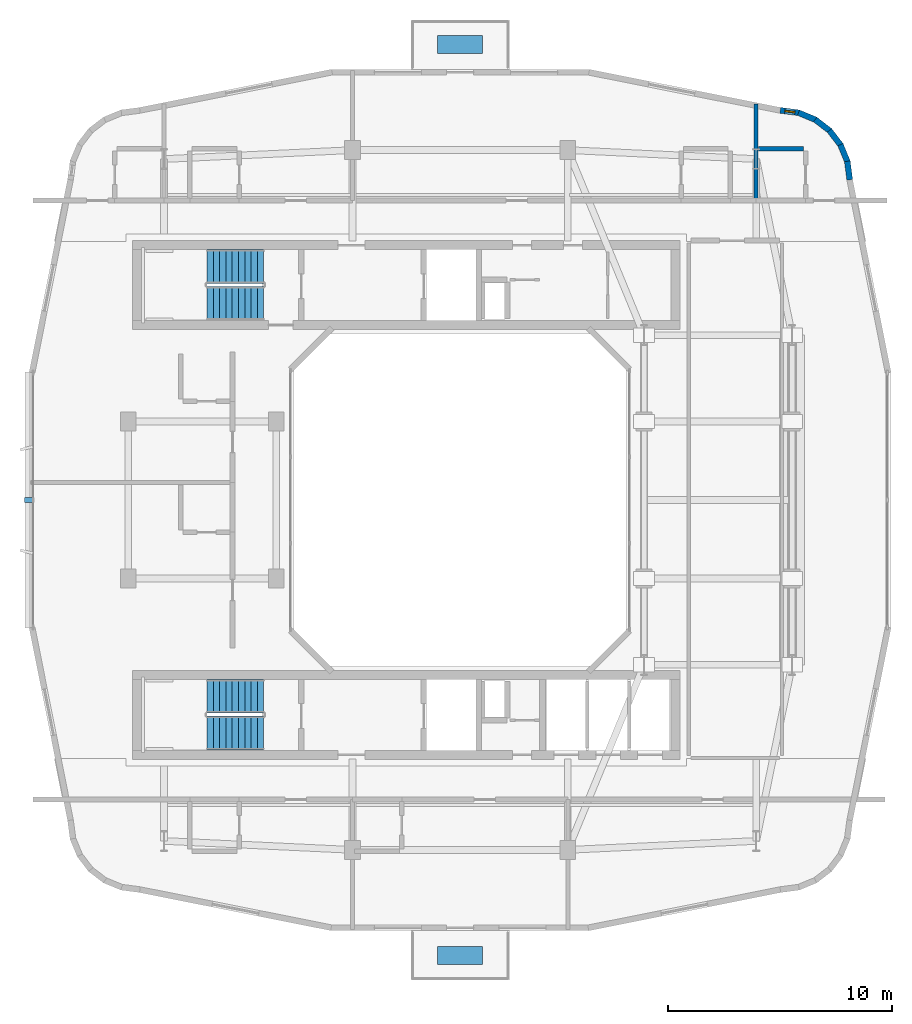
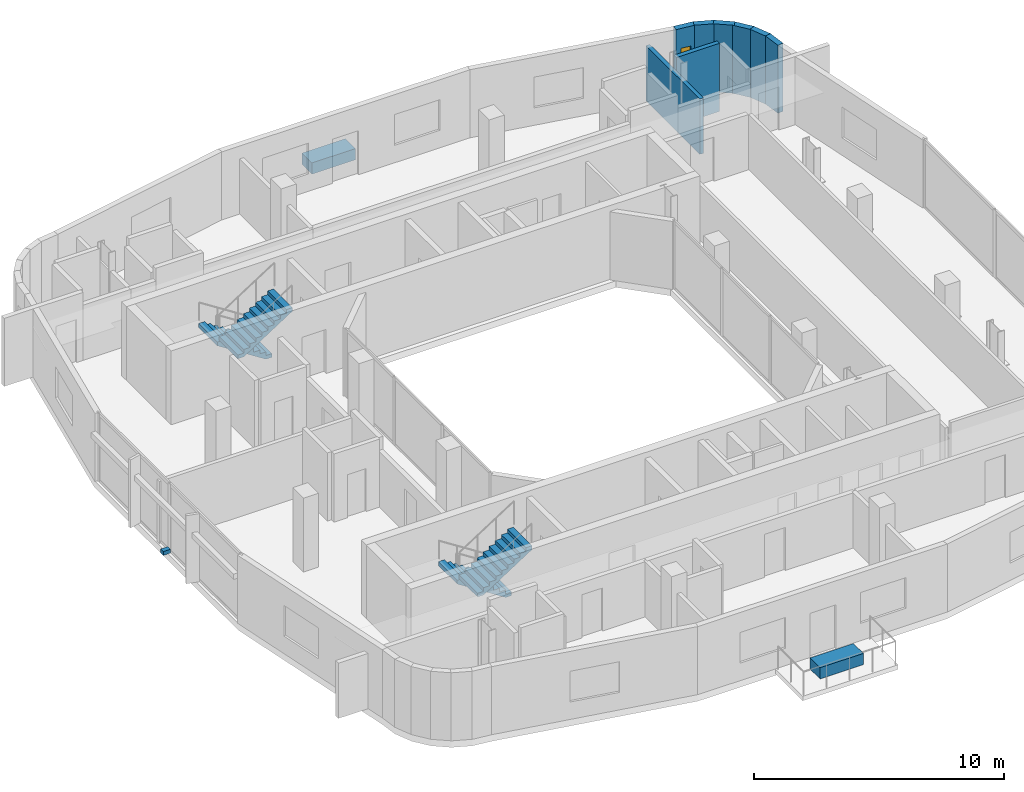
# One storey, part 9 of 13: 8 walls, 4 stair flights, 3 discrete accessories, 1 window, 1 opening, 2 elements without a shape of their own.
"""IFC4 building model written with IfcOpenShell, lengths in metres."""

from ifc_helpers import new_model, si_unit, derived_unit, direction, frame, frame_2d, origin, origin_2d, place, context, subcontext, project, spatial, polyline, rectangle, outline, extrude, material, layer, layer_set, type_object, element, fill, aggregate, save


model = new_model("IFC4")

# Units and contexts
model_context = context("Model", 3, precision=1e-05, world=origin(), true_north=direction((0.0, 1.0)))
body_context = subcontext(model_context, "Body", "Model", "MODEL_VIEW")
ifc_project = project(units=[si_unit("LENGTHUNIT", "METRE"), si_unit("AREAUNIT", "SQUARE_METRE"), si_unit("VOLUMEUNIT", "CUBIC_METRE"), si_unit("PLANEANGLEUNIT", "RADIAN"), si_unit("MASSUNIT", "GRAM", prefix="KILO"), derived_unit("THERMALTRANSMITTANCEUNIT", [(si_unit("POWERUNIT", "WATT"), 1), (si_unit("LENGTHUNIT", "METRE"), -2), (si_unit("THERMODYNAMICTEMPERATUREUNIT", "KELVIN"), -1)])], contexts=[model_context])

# Site, building, storey
site_placement = place(None, origin())
site = spatial("IfcSite", under=ifc_project, at=site_placement, CompositionType="ELEMENT")
building_placement = place(site_placement, origin())
building = spatial("IfcBuilding", under=site, at=building_placement, Name="Kivonza Crest Hotel", CompositionType="ELEMENT")
storey_placement = place(building_placement, frame((0.0, 0.0, 199.10009765625)))
storey = spatial("IfcBuildingStorey", under=building, at=storey_placement, Name="L54", CompositionType="ELEMENT", Elevation=199.10009765625)

# Walls
ifc_material_1 = material(Name="High-density acoustic masonry inter-tenancy wall", Category="masonry")
ifc_layer_1 = layer(ifc_material_1, 0.179931640625)
ifc_layer_set_1 = layer_set([ifc_layer_1], Name="High-density acoustic masonry inter-tenancy wall")
wall_type_1 = type_object("IfcWallType", Name="WL-ACOU-180", PredefinedType="SOLIDWALL", material=ifc_layer_set_1)
wall_1_placement = place(storey_placement, frame((34.199951171875, 38.35009765625, 0.0), z_axis=(0.0, 0.0, 1.0), x_axis=(0.0, 1.0, 0.0)))
element("IfcWall", 1, at=wall_1_placement, inside=storey, type_object=wall_type_1, Name="L54 interior partition WA-L54-T1N-DIV3", PredefinedType="SOLIDWALL", context=body_context, shape_type="SweptSolid", body=[
    extrude(rectangle(XDim=4.307861328125, YDim=0.179931640625, at=frame_2d((2.15380859375, 0.0))), origin(), (0.0, 0.0, 1.0), 2.69482421875),
])
ifc_material_2 = material(Name="Precast concrete C40/50", Category="concrete")
ifc_layer_2 = layer(ifc_material_2, 0.260009765625)
ifc_layer_set_2 = layer_set([ifc_layer_2], Name="Precast concrete C40/50")
wall_type_2 = type_object("IfcWallType", Name="WL-EXT-260", PredefinedType="STANDARD", material=ifc_layer_set_2)
wall_2_placement = place(storey_placement, frame((38.3720703125, 39.27490234375, 0.0), z_axis=(0.0, 0.0, 1.0), x_axis=(-0.130954667764, 0.9913883573, 0.0)))
element("IfcWall", 2, at=wall_2_placement, inside=storey, type_object=wall_type_2, Name="L54 T1 exterior insulated wall 19", PredefinedType="STANDARD", context=body_context, shape_type="SweptSolid", body=[
    extrude(rectangle(XDim=0.833251953125, YDim=0.260009765625, at=frame_2d((0.41650390625, 0.0))), origin(), (0.0, 0.0, 1.0), 3.31982421875),
])
wall_3_placement = place(storey_placement, frame((38.281005859375, 40.054931640625, 0.0), z_axis=(0.0, 0.0, 1.0), x_axis=(-0.382985169477, 0.923754491172, 0.0)))
element("IfcWall", 3, at=wall_3_placement, inside=storey, type_object=wall_type_2, Name="L54 T1 exterior insulated wall 20", PredefinedType="STANDARD", context=body_context, shape_type="SweptSolid", body=[
    extrude(rectangle(XDim=0.85107421875, YDim=0.260009765625, at=frame_2d((0.425537109375, 0.0))), origin(), (0.0, 0.0, 1.0), 3.31982421875),
])
for number, where, z_axis, x_axis, name in (
    (4, (37.98291015625, 40.801025390625, 0.0), (0.0, 0.0, 1.0), (-0.607918988881, 0.793999057278, 0.0), "L54 T1 exterior insulated wall 21"),
    (5, (37.50390625, 41.445068359375, 0.0), (0.0, 0.0, 1.0), (-0.793892896323, 0.608057619941, 0.0), "L54 T1 exterior insulated wall 22"),
):
    element("IfcWall", number, at=place(storey_placement, frame(where, z_axis=z_axis, x_axis=x_axis)), inside=storey, type_object=wall_type_2, Name=name, PredefinedType="STANDARD", context=body_context, shape_type="SweptSolid", body=[
        extrude(rectangle(XDim=0.85009765625, YDim=0.260009765625, at=frame_2d((0.425048828125, 0.0))), origin(), (0.0, 0.0, 1.0), 3.31982421875),
    ])
wall_4_placement = place(storey_placement, frame((36.873046875, 41.94091796875, 0.0), z_axis=(0.0, 0.0, 1.0), x_axis=(-0.923652976167, 0.383229930484, 0.0)))
element("IfcWall", 6, at=wall_4_placement, inside=storey, type_object=wall_type_2, Name="L54 T1 exterior insulated wall 23", PredefinedType="STANDARD", context=body_context, shape_type="SweptSolid", body=[
    extrude(rectangle(XDim=0.85107421875, YDim=0.260009765625, at=frame_2d((0.425537109375, 0.0))), origin(), (0.0, 0.0, 1.0), 3.31982421875),
])

# Wall, opening, window
wall_5_placement = place(storey_placement, frame((36.135986328125, 42.259033203125, 0.0), z_axis=(0.0, 0.0, 1.0), x_axis=(-0.991493480548, 0.130156359936, 0.0)))
wall_5 = element("IfcWall", 7, at=wall_5_placement, inside=storey, type_object=wall_type_2, Name="L54 T1 exterior insulated wall 24", PredefinedType="STANDARD", context=body_context, shape_type="SweptSolid", body=[
    extrude(rectangle(XDim=0.868408203125, YDim=0.260009765625, at=frame_2d((0.43408203125, 0.0))), origin(), (0.0, 0.0, 1.0), 3.31982421875),
])
opening_placement = place(wall_5_placement, frame((0.208984375, 0.0, 0.85009765625)))
opening = element("IfcOpeningElement", 8, at=opening_placement, cuts=wall_5, Name="Opening WN-11", PredefinedType="OPENING", context=body_context, shape_type="SweptSolid", body=[
    extrude(rectangle(XDim=0.449951171875, YDim=1.5, at=frame_2d((0.22509765625, 0.75))), frame((0.0, 0.14013671875, 0.0), z_axis=(0.0, -1.0, 0.0), x_axis=(1.0, 0.0, 0.0)), (0.0, 0.0, 1.0), 0.280029296875),
])
ifc_material_3 = material(Name="Thermally broken bronze aluminium and low-E double glazing", Category="aluminium")
window_type = type_object("IfcWindowType", Name="WN-045x150", PartitioningType="SINGLE_PANEL", PredefinedType="WINDOW", material=ifc_material_3)
window_placement = place(opening_placement, origin())
window = element("IfcWindow", 9, at=window_placement, inside=storey, type_object=window_type, Name="L54 corner vision window 2", OverallHeight=1.5, OverallWidth=0.449951171875, PartitioningType="SINGLE_PANEL", PredefinedType="WINDOW", context=body_context, shape_type="SweptSolid", body=[
    extrude(rectangle(XDim=0.449951171875, YDim=1.5, at=frame_2d((0.22509765625, 0.75))), frame((0.0, 0.030029296875, 0.0), z_axis=(0.0, -1.0, 0.0), x_axis=(1.0, 0.0, 0.0)), (0.0, 0.0, 1.0), 0.06005859375),
])
fill(opening, window)

# Wall
ifc_material_4 = material(Name="Moisture-resistant plumbing chase partition wall", Category="gypsum")
ifc_layer_3 = layer(ifc_material_4, 0.199951171875)
ifc_layer_set_3 = layer_set([ifc_layer_3], Name="Moisture-resistant plumbing chase partition wall")
wall_type_3 = type_object("IfcWallType", Name="WL-PLUMB-200", PredefinedType="PLUMBINGWALL", material=ifc_layer_set_3)
wall_6_placement = place(storey_placement, frame((34.300048828125, 40.64990234375, 0.0), z_axis=(0.0, 0.0, 1.0), x_axis=(1.0, 0.0, 0.0)))
element("IfcWall", 10, at=wall_6_placement, inside=storey, type_object=wall_type_3, Name="L54 interior partition WW-L54-N04-BH", PredefinedType="PLUMBINGWALL", context=body_context, shape_type="SweptSolid", body=[
    extrude(rectangle(XDim=2.0, YDim=0.199951171875, at=frame_2d((1.0, 0.0))), origin(), (0.0, 0.0, 1.0), 3.31982421875),
])

# Stair, stair flights
ifc_material_5 = material(Name="Concrete C40/50", Category="concrete")
stair_type = type_object("IfcStairType", Name="ST-DL-20R", PredefinedType="HALF_TURN_STAIR", material=ifc_material_5)
stair_1_placement = place(storey_placement, origin())
stair_1 = element("IfcStair", 11, at=stair_1_placement, inside=storey, type_object=stair_type, Name="L54 Protected Exit Stair ST-T1-N", PredefinedType="HALF_TURN_STAIR")
stair_flight_type = type_object("IfcStairFlightType", Name="SFL-RC-10R", PredefinedType="STRAIGHT", material=ifc_material_5)
stair_flight_1_placement = place(storey_placement, frame((12.239990234375, 35.409912109375, 0.0), z_axis=(0.0, 0.0, 1.0), x_axis=(-1.0, 0.0, 0.0)))
stair_flight_1 = element("IfcStairFlight", 12, at=stair_flight_1_placement, type_object=stair_flight_type, Name="ST-T1-N flight 1", NumberOfRisers=10, NumberOfTreads=9, PredefinedType="STRAIGHT", RiserHeight=0.18, TreadLength=0.28, context=body_context, shape_type="SweptSolid", body=[
    extrude(outline(polyline([(0.0, 0.0), (0.0, 0.179931640625), (0.280029296875, 0.179931640625), (0.280029296875, 0.360107421875), (0.56005859375, 0.360107421875), (0.56005859375, 0.5400390625), (0.840087890625, 0.5400390625), (0.840087890625, 0.719970703125), (1.1201171875, 0.719970703125), (1.1201171875, 0.89990234375), (1.39990234375, 0.89990234375), (1.39990234375, 1.080078125), (1.679931640625, 1.080078125), (1.679931640625, 1.260009765625), (1.9599609375, 1.260009765625), (1.9599609375, 1.43994140625), (2.239990234375, 1.43994140625), (2.239990234375, 1.6201171875), (2.52001953125, 1.6201171875), (2.52001953125, 1.800048828125), (2.52001953125, 1.44189453125), (0.277099609375, 0.0), (0.0, 0.0)])), frame((0.0, 0.75, 0.0), z_axis=(0.0, -1.0, 0.0), x_axis=(1.0, 0.0, 0.0)), (0.0, 0.0, 1.0), 1.5),
])
stair_flight_2_placement = place(storey_placement, frame((9.719970703125, 33.77001953125, 1.7998046875), z_axis=(0.0, 0.0, 1.0), x_axis=(1.0, 0.0, 0.0)))
stair_flight_2 = element("IfcStairFlight", 13, at=stair_flight_2_placement, type_object=stair_flight_type, Name="ST-T1-N flight 2", NumberOfRisers=10, NumberOfTreads=9, PredefinedType="STRAIGHT", RiserHeight=0.18, TreadLength=0.28, context=body_context, shape_type="SweptSolid", body=[
    extrude(outline(polyline([(0.0, 0.0), (0.0, 0.179931640625), (0.280029296875, 0.179931640625), (0.280029296875, 0.360107421875), (0.56005859375, 0.360107421875), (0.56005859375, 0.5400390625), (0.840087890625, 0.5400390625), (0.840087890625, 0.719970703125), (1.1201171875, 0.719970703125), (1.1201171875, 0.89990234375), (1.39990234375, 0.89990234375), (1.39990234375, 1.080078125), (1.679931640625, 1.080078125), (1.679931640625, 1.260009765625), (1.9599609375, 1.260009765625), (1.9599609375, 1.43994140625), (2.239990234375, 1.43994140625), (2.239990234375, 1.6201171875), (2.52001953125, 1.6201171875), (2.52001953125, 1.800048828125), (2.52001953125, 1.44189453125), (0.277099609375, 0.0), (0.0, 0.0)])), frame((0.0, 0.75, 0.0), z_axis=(0.0, -1.0, 0.0), x_axis=(1.0, 0.0, 0.0)), (0.0, 0.0, 1.0), 1.5),
])
aggregate(stair_1, [stair_flight_1, stair_flight_2])

stair_2_placement = place(storey_placement, origin())
stair_2 = element("IfcStair", 14, at=stair_2_placement, inside=storey, type_object=stair_type, Name="L54 Protected Exit Stair ST-T1-S", PredefinedType="HALF_TURN_STAIR")
stair_flight_3_placement = place(storey_placement, frame((12.239990234375, 16.25, 0.0), z_axis=(0.0, 0.0, 1.0), x_axis=(-1.0, 0.0, 0.0)))
stair_flight_3 = element("IfcStairFlight", 15, at=stair_flight_3_placement, type_object=stair_flight_type, Name="ST-T1-S flight 1", NumberOfRisers=10, NumberOfTreads=9, PredefinedType="STRAIGHT", RiserHeight=0.18, TreadLength=0.28, context=body_context, shape_type="SweptSolid", body=[
    extrude(outline(polyline([(0.0, 0.0), (0.0, 0.179931640625), (0.280029296875, 0.179931640625), (0.280029296875, 0.360107421875), (0.56005859375, 0.360107421875), (0.56005859375, 0.5400390625), (0.840087890625, 0.5400390625), (0.840087890625, 0.719970703125), (1.1201171875, 0.719970703125), (1.1201171875, 0.89990234375), (1.39990234375, 0.89990234375), (1.39990234375, 1.080078125), (1.679931640625, 1.080078125), (1.679931640625, 1.260009765625), (1.9599609375, 1.260009765625), (1.9599609375, 1.43994140625), (2.239990234375, 1.43994140625), (2.239990234375, 1.6201171875), (2.52001953125, 1.6201171875), (2.52001953125, 1.800048828125), (2.52001953125, 1.44189453125), (0.277099609375, 0.0), (0.0, 0.0)])), frame((0.0, 0.75, 0.0), z_axis=(0.0, -1.0, 0.0), x_axis=(1.0, 0.0, 0.0)), (0.0, 0.0, 1.0), 1.5),
])
stair_flight_4_placement = place(storey_placement, frame((9.719970703125, 14.610107421875, 1.7998046875), z_axis=(0.0, 0.0, 1.0), x_axis=(1.0, 0.0, 0.0)))
stair_flight_4 = element("IfcStairFlight", 16, at=stair_flight_4_placement, type_object=stair_flight_type, Name="ST-T1-S flight 2", NumberOfRisers=10, NumberOfTreads=9, PredefinedType="STRAIGHT", RiserHeight=0.18, TreadLength=0.28, context=body_context, shape_type="SweptSolid", body=[
    extrude(outline(polyline([(0.0, 0.0), (0.0, 0.179931640625), (0.280029296875, 0.179931640625), (0.280029296875, 0.360107421875), (0.56005859375, 0.360107421875), (0.56005859375, 0.5400390625), (0.840087890625, 0.5400390625), (0.840087890625, 0.719970703125), (1.1201171875, 0.719970703125), (1.1201171875, 0.89990234375), (1.39990234375, 0.89990234375), (1.39990234375, 1.080078125), (1.679931640625, 1.080078125), (1.679931640625, 1.260009765625), (1.9599609375, 1.260009765625), (1.9599609375, 1.43994140625), (2.239990234375, 1.43994140625), (2.239990234375, 1.6201171875), (2.52001953125, 1.6201171875), (2.52001953125, 1.800048828125), (2.52001953125, 1.44189453125), (0.277099609375, 0.0), (0.0, 0.0)])), frame((0.0, 0.75, 0.0), z_axis=(0.0, -1.0, 0.0), x_axis=(1.0, 0.0, 0.0)), (0.0, 0.0, 1.0), 1.5),
])
aggregate(stair_2, [stair_flight_3, stair_flight_4])

# Discrete accessories
ifc_material_6 = material(Name="Stainless steel 316", Category="steel")
discrete_accessory_type_1 = type_object("IfcDiscreteAccessoryType", Name="AC-BRACKET-240", PredefinedType="BRACKET", material=ifc_material_6)
discrete_accessory_placement = place(storey_placement, frame((1.760009765625, 25.0, -0.01025390625), z_axis=(0.0, 0.0, 1.0), x_axis=(0.0, -1.0, 0.0)))
element("IfcDiscreteAccessory", 17, at=discrete_accessory_placement, inside=storey, type_object=discrete_accessory_type_1, Name="L54 terracotta baguette support bracket CW-T1-L54-35", PredefinedType="BRACKET", context=body_context, shape_type="SweptSolid", body=[
    extrude(rectangle(XDim=0.219970703125, YDim=0.340087890625, at=origin_2d()), origin(), (0.0, 0.0, 1.0), 0.179931640625),
])
ifc_material_7 = material(Name="Precast GRC planter with engineered planting soil", Category="concrete")
discrete_accessory_type_2 = type_object("IfcDiscreteAccessoryType", Name="AC-PLANTER-1800", PredefinedType="USERDEFINED", material=ifc_material_7)
for number, where, z_axis, x_axis, name in (
    (18, (21.0, 4.699951171875, 0.0), (0.0, 0.0, 1.0), (1.0, 0.0, 0.0), "T1 L54 SW sky-garden planter"),
    (19, (21.0, 45.300048828125, 0.0), (0.0, 0.0, 1.0), (1.0, 0.0, 0.0), "T1 L54 NE sky-garden planter"),
):
    element("IfcDiscreteAccessory", number, at=place(storey_placement, frame(where, z_axis=z_axis, x_axis=x_axis)), inside=storey, type_object=discrete_accessory_type_2, Name=name, ObjectType="PLANTER", PredefinedType="USERDEFINED", context=body_context, shape_type="SweptSolid", body=[
        extrude(rectangle(XDim=2.0, YDim=0.800048828125, at=origin_2d()), origin(), (0.0, 0.0, 1.0), 0.550048828125),
    ])

save(model, "model.ifc")
